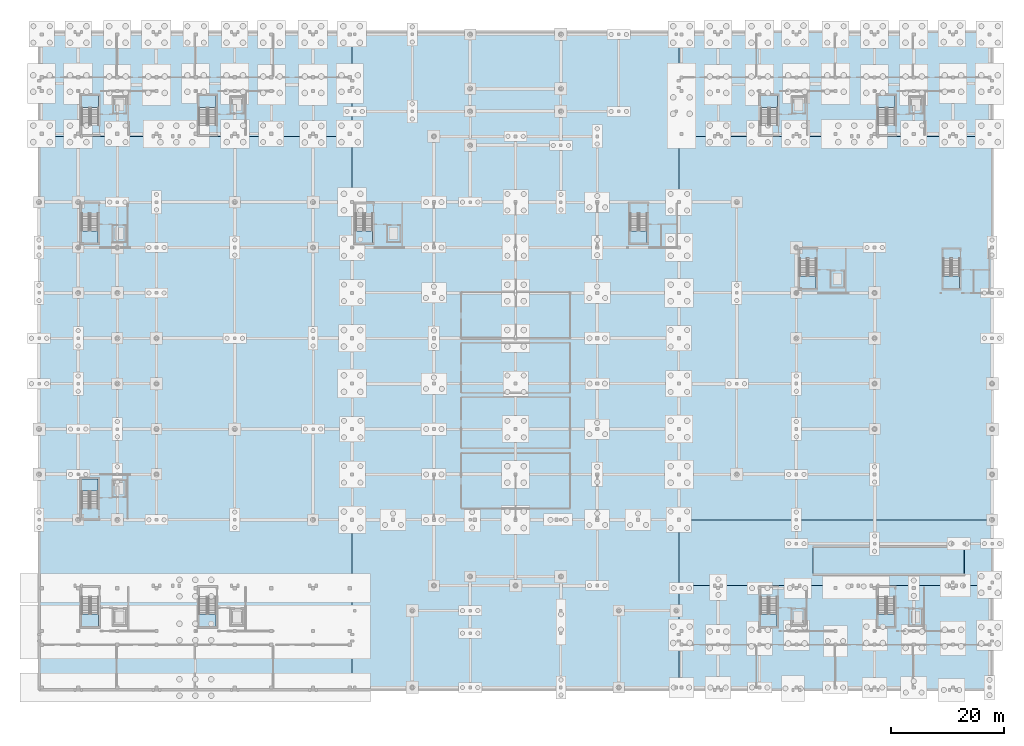
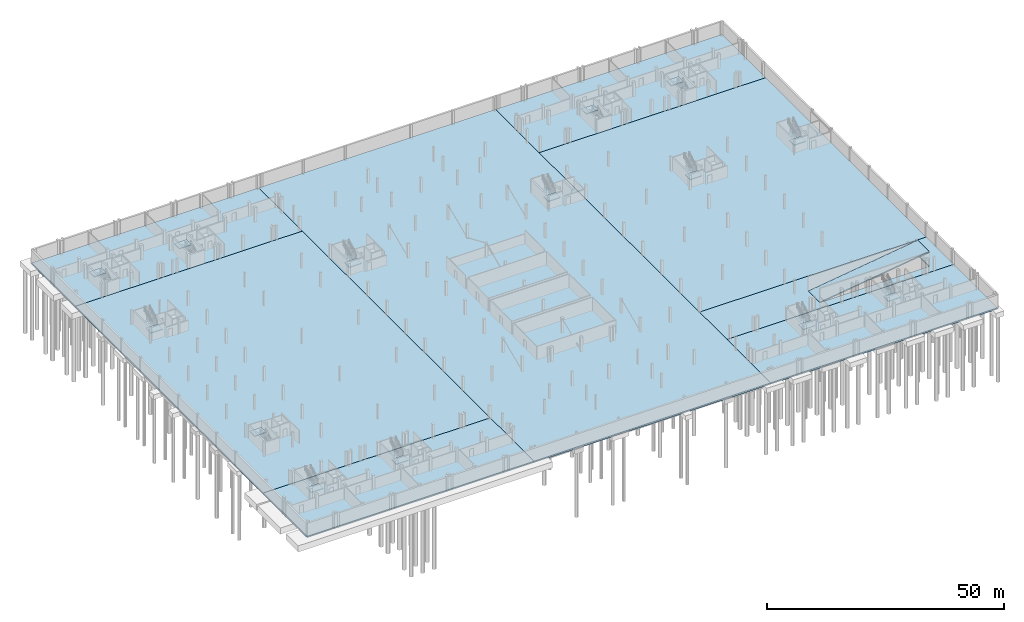
# One storey, part 15 of 38: 23 slabs, 14 elements without a shape of their own.
"""IFC4 building model written with IfcOpenShell, lengths in metres."""

from ifc_helpers import new_model, si_unit, direction, frame, origin, place, context, subcontext, project, spatial, polyline, outline, extrude, material, layer, layer_set, type_object, element, aggregate, save


model = new_model("IFC4")

# Units and contexts
model_context = context("Model", 3, precision=1e-05, world=origin(), true_north=direction((0.0, 1.0)))
body_context = subcontext(model_context, "Body", "Model", "MODEL_VIEW")
ifc_project = project(units=[si_unit("LENGTHUNIT", "METRE"), si_unit("AREAUNIT", "SQUARE_METRE"), si_unit("VOLUMEUNIT", "CUBIC_METRE"), si_unit("PLANEANGLEUNIT", "RADIAN"), si_unit("MASSUNIT", "GRAM", prefix="KILO")], contexts=[model_context])

# Site, building, storey
site_placement = place(None, origin())
site = spatial("IfcSite", under=ifc_project, at=site_placement, CompositionType="ELEMENT")
building_placement = place(site_placement, origin())
building = spatial("IfcBuilding", under=site, at=building_placement, Name="Zavelmont Quarter", CompositionType="ELEMENT")
storey_placement = place(building_placement, frame((0.0, 0.0, -3.800048828125)))
storey = spatial("IfcBuildingStorey", under=building, at=storey_placement, Name="B01", CompositionType="ELEMENT", Elevation=-3.800048828125)

# Slabs
ifc_material = material(Name="Concrete C35/45", Category="concrete")
ifc_layer_1 = layer(ifc_material, 0.39990234375)
ifc_layer_set_1 = layer_set([ifc_layer_1], Name="Concrete C35/45")
slab_type_1 = type_object("IfcSlabType", Name="SL-BS400", PredefinedType="BASESLAB", material=ifc_layer_set_1)
slab_1_placement = place(storey_placement, frame((0.0, 0.0, -0.39990234375)))
element("IfcSlab", 1, at=slab_1_placement, inside=storey, type_object=slab_type_1, Name="B01 B01 South-West Block A basement SL-BS400", PredefinedType="BASESLAB", context=body_context, shape_type="SweptSolid", body=[
    extrude(outline(polyline([(0.0, 0.0), (55.199951171875, 0.0), (55.199951171875, 18.39990234375), (0.0, 18.39990234375), (0.0, 0.0)])), origin(), (0.0, 0.0, 1.0), 0.39990234375),
])
slab_2_placement = place(storey_placement, frame((0.0, 0.0, -0.39990234375)))
element("IfcSlab", 2, at=slab_2_placement, inside=storey, type_object=slab_type_1, Name="B01 B01 West retail and courtyard basement SL-BS400", PredefinedType="BASESLAB", context=body_context, shape_type="SweptSolid", body=[
    extrude(outline(polyline([(0.0, 18.39990234375), (55.199951171875, 18.39990234375), (55.199951171875, 97.60009765625), (0.0, 97.60009765625), (0.0, 18.39990234375)])), origin(), (0.0, 0.0, 1.0), 0.39990234375),
])
slab_3_placement = place(storey_placement, frame((0.0, 0.0, -0.39990234375)))
element("IfcSlab", 3, at=slab_3_placement, inside=storey, type_object=slab_type_1, Name="B01 B01 North-West Block B basement SL-BS400", PredefinedType="BASESLAB", context=body_context, shape_type="SweptSolid", body=[
    extrude(outline(polyline([(0.0, 97.60009765625), (55.199951171875, 97.60009765625), (55.199951171875, 116.0), (0.0, 116.0), (0.0, 97.60009765625)])), origin(), (0.0, 0.0, 1.0), 0.39990234375),
])
slab_4_placement = place(storey_placement, frame((0.0, 0.0, -0.39990234375)))
element("IfcSlab", 4, at=slab_4_placement, inside=storey, type_object=slab_type_1, Name="B01 B01 Central car-park and hall basement SL-BS400", PredefinedType="BASESLAB", context=body_context, shape_type="SweptSolid", body=[
    extrude(outline(polyline([(55.199951171875, 0.0), (112.800048828125, 0.0), (112.800048828125, 116.0), (55.199951171875, 116.0), (55.199951171875, 0.0)])), origin(), (0.0, 0.0, 1.0), 0.39990234375),
])
slab_5_placement = place(storey_placement, frame((0.0, 0.0, -0.39990234375)))
element("IfcSlab", 5, at=slab_5_placement, inside=storey, type_object=slab_type_1, Name="B01 B01 South-East Block D basement SL-BS400", PredefinedType="BASESLAB", context=body_context, shape_type="SweptSolid", body=[
    extrude(outline(polyline([(112.800048828125, 0.0), (168.0, 0.0), (168.0, 18.39990234375), (112.800048828125, 18.39990234375), (112.800048828125, 0.0)])), origin(), (0.0, 0.0, 1.0), 0.39990234375),
])
slab_6_placement = place(storey_placement, frame((0.0, 0.0, -0.39990234375)))
element("IfcSlab", 6, at=slab_6_placement, inside=storey, type_object=slab_type_1, Name="B01 B01 East ramp link basement SL-BS400", PredefinedType="BASESLAB", context=body_context, shape_type="SweptSolid", body=[
    extrude(outline(polyline([(112.800048828125, 18.39990234375), (168.0, 18.39990234375), (168.0, 30.0), (112.800048828125, 30.0), (112.800048828125, 18.39990234375)]), holes=[polyline([(136.47998046875, 20.3798828125), (163.159912109375, 20.3798828125), (163.159912109375, 25.219970703125), (136.47998046875, 25.219970703125), (136.47998046875, 20.3798828125)])]), origin(), (0.0, 0.0, 1.0), 0.39990234375),
])
slab_7_placement = place(storey_placement, frame((0.0, 0.0, -0.39990234375)))
element("IfcSlab", 7, at=slab_7_placement, inside=storey, type_object=slab_type_1, Name="B01 B01 East courtyard and Nursery basement SL-BS400", PredefinedType="BASESLAB", context=body_context, shape_type="SweptSolid", body=[
    extrude(outline(polyline([(112.800048828125, 30.0), (168.0, 30.0), (168.0, 97.60009765625), (112.800048828125, 97.60009765625), (112.800048828125, 30.0)])), origin(), (0.0, 0.0, 1.0), 0.39990234375),
])
slab_8_placement = place(storey_placement, frame((0.0, 0.0, -0.39990234375)))
element("IfcSlab", 8, at=slab_8_placement, inside=storey, type_object=slab_type_1, Name="B01 B01 North-East Block C basement SL-BS400", PredefinedType="BASESLAB", context=body_context, shape_type="SweptSolid", body=[
    extrude(outline(polyline([(112.800048828125, 97.60009765625), (168.0, 97.60009765625), (168.0, 116.0), (112.800048828125, 116.0), (112.800048828125, 97.60009765625)])), origin(), (0.0, 0.0, 1.0), 0.39990234375),
])

# Stair, slab
stair_type_1 = type_object("IfcStairType", Name="STR-1400-1727", PredefinedType="HALF_TURN_STAIR", material=ifc_material)
stair_1_placement = place(storey_placement, origin())
stair_1 = element("IfcStair", 9, at=stair_1_placement, inside=storey, type_object=stair_type_1, Name="B01 protected stair ST01", PredefinedType="HALF_TURN_STAIR")
ifc_layer_2 = layer(ifc_material, 0.199951171875)
ifc_layer_set_2 = layer_set([ifc_layer_2], Name="Concrete C35/45")
slab_type_2 = type_object("IfcSlabType", Name="SL-LND200", PredefinedType="LANDING", material=ifc_layer_set_2)
slab_9_placement = place(storey_placement, frame((0.0, 0.0, 1.699951171875)))
slab_9 = element("IfcSlab", 10, at=slab_9_placement, type_object=slab_type_2, Name="ST01 landing 1", PredefinedType="LANDING", context=body_context, shape_type="SweptSolid", body=[
    extrude(outline(polyline([(7.5, 13.35009765625), (7.5, 11.199951171875), (10.5, 11.199951171875), (10.5, 13.35009765625), (7.5, 13.35009765625)])), origin(), (0.0, 0.0, 1.0), 0.2001953125),
])
aggregate(stair_1, [slab_9])

stair_2_placement = place(storey_placement, origin())
stair_2 = element("IfcStair", 11, at=stair_2_placement, inside=storey, type_object=stair_type_1, Name="B01 protected stair ST02", PredefinedType="HALF_TURN_STAIR")
slab_10_placement = place(storey_placement, frame((0.0, 0.0, 1.699951171875)))
slab_10 = element("IfcSlab", 12, at=slab_10_placement, type_object=slab_type_2, Name="ST02 landing 1", PredefinedType="LANDING", context=body_context, shape_type="SweptSolid", body=[
    extrude(outline(polyline([(28.199951171875, 13.35009765625), (28.199951171875, 11.199951171875), (31.199951171875, 11.199951171875), (31.199951171875, 13.35009765625), (28.199951171875, 13.35009765625)])), origin(), (0.0, 0.0, 1.0), 0.2001953125),
])
aggregate(stair_2, [slab_10])

stair_3_placement = place(storey_placement, origin())
stair_3 = element("IfcStair", 13, at=stair_3_placement, inside=storey, type_object=stair_type_1, Name="B01 protected stair ST03", PredefinedType="HALF_TURN_STAIR")
slab_11_placement = place(storey_placement, frame((0.0, 0.0, 1.699951171875)))
slab_11 = element("IfcSlab", 14, at=slab_11_placement, type_object=slab_type_2, Name="ST03 landing 1", PredefinedType="LANDING", context=body_context, shape_type="SweptSolid", body=[
    extrude(outline(polyline([(10.5, 102.64990234375), (10.5, 104.800048828125), (7.5, 104.800048828125), (7.5, 102.64990234375), (10.5, 102.64990234375)])), origin(), (0.0, 0.0, 1.0), 0.2001953125),
])
aggregate(stair_3, [slab_11])

stair_4_placement = place(storey_placement, origin())
stair_4 = element("IfcStair", 15, at=stair_4_placement, inside=storey, type_object=stair_type_1, Name="B01 protected stair ST04", PredefinedType="HALF_TURN_STAIR")
slab_12_placement = place(storey_placement, frame((0.0, 0.0, 1.699951171875)))
slab_12 = element("IfcSlab", 16, at=slab_12_placement, type_object=slab_type_2, Name="ST04 landing 1", PredefinedType="LANDING", context=body_context, shape_type="SweptSolid", body=[
    extrude(outline(polyline([(31.199951171875, 102.64990234375), (31.199951171875, 104.800048828125), (28.199951171875, 104.800048828125), (28.199951171875, 102.64990234375), (31.199951171875, 102.64990234375)])), origin(), (0.0, 0.0, 1.0), 0.2001953125),
])
aggregate(stair_4, [slab_12])

stair_5_placement = place(storey_placement, origin())
stair_5 = element("IfcStair", 17, at=stair_5_placement, inside=storey, type_object=stair_type_1, Name="B01 protected stair ST05", PredefinedType="HALF_TURN_STAIR")
slab_13_placement = place(storey_placement, frame((0.0, 0.0, 1.699951171875)))
slab_13 = element("IfcSlab", 18, at=slab_13_placement, type_object=slab_type_2, Name="ST05 landing 1", PredefinedType="LANDING", context=body_context, shape_type="SweptSolid", body=[
    extrude(outline(polyline([(130.199951171875, 102.64990234375), (130.199951171875, 104.800048828125), (127.199951171875, 104.800048828125), (127.199951171875, 102.64990234375), (130.199951171875, 102.64990234375)])), origin(), (0.0, 0.0, 1.0), 0.2001953125),
])
aggregate(stair_5, [slab_13])

stair_6_placement = place(storey_placement, origin())
stair_6 = element("IfcStair", 19, at=stair_6_placement, inside=storey, type_object=stair_type_1, Name="B01 protected stair ST06", PredefinedType="HALF_TURN_STAIR")
slab_14_placement = place(storey_placement, frame((0.0, 0.0, 1.699951171875)))
slab_14 = element("IfcSlab", 20, at=slab_14_placement, type_object=slab_type_2, Name="ST06 landing 1", PredefinedType="LANDING", context=body_context, shape_type="SweptSolid", body=[
    extrude(outline(polyline([(150.89990234375, 102.64990234375), (150.89990234375, 104.800048828125), (147.89990234375, 104.800048828125), (147.89990234375, 102.64990234375), (150.89990234375, 102.64990234375)])), origin(), (0.0, 0.0, 1.0), 0.2001953125),
])
aggregate(stair_6, [slab_14])

stair_type_2 = type_object("IfcStairType", Name="STR-1350-1727", PredefinedType="HALF_TURN_STAIR", material=ifc_material)
stair_7_placement = place(storey_placement, origin())
stair_7 = element("IfcStair", 21, at=stair_7_placement, inside=storey, type_object=stair_type_2, Name="B01 protected stair ST07", PredefinedType="HALF_TURN_STAIR")
slab_15_placement = place(storey_placement, frame((0.0, 0.0, 1.699951171875)))
slab_15 = element("IfcSlab", 22, at=slab_15_placement, type_object=slab_type_2, Name="ST07 landing 1", PredefinedType="LANDING", context=body_context, shape_type="SweptSolid", body=[
    extrude(outline(polyline([(127.199951171875, 13.35009765625), (127.199951171875, 11.199951171875), (130.10009765625, 11.199951171875), (130.10009765625, 13.35009765625), (127.199951171875, 13.35009765625)])), origin(), (0.0, 0.0, 1.0), 0.2001953125),
])
aggregate(stair_7, [slab_15])

stair_8_placement = place(storey_placement, origin())
stair_8 = element("IfcStair", 23, at=stair_8_placement, inside=storey, type_object=stair_type_2, Name="B01 protected stair ST08", PredefinedType="HALF_TURN_STAIR")
slab_16_placement = place(storey_placement, frame((0.0, 0.0, 1.699951171875)))
slab_16 = element("IfcSlab", 24, at=slab_16_placement, type_object=slab_type_2, Name="ST08 landing 1", PredefinedType="LANDING", context=body_context, shape_type="SweptSolid", body=[
    extrude(outline(polyline([(147.89990234375, 13.35009765625), (147.89990234375, 11.199951171875), (150.800048828125, 11.199951171875), (150.800048828125, 13.35009765625), (147.89990234375, 13.35009765625)])), origin(), (0.0, 0.0, 1.0), 0.2001953125),
])
aggregate(stair_8, [slab_16])

stair_9_placement = place(storey_placement, origin())
stair_9 = element("IfcStair", 25, at=stair_9_placement, inside=storey, type_object=stair_type_1, Name="B01 protected stair ST09", PredefinedType="HALF_TURN_STAIR")
slab_17_placement = place(storey_placement, frame((0.0, 0.0, 1.699951171875)))
slab_17 = element("IfcSlab", 26, at=slab_17_placement, type_object=slab_type_2, Name="ST09 landing 1", PredefinedType="LANDING", context=body_context, shape_type="SweptSolid", body=[
    extrude(outline(polyline([(55.800048828125, 80.949951171875), (55.800048828125, 78.800048828125), (58.800048828125, 78.800048828125), (58.800048828125, 80.949951171875), (55.800048828125, 80.949951171875)])), origin(), (0.0, 0.0, 1.0), 0.2001953125),
])
aggregate(stair_9, [slab_17])

stair_10_placement = place(storey_placement, origin())
stair_10 = element("IfcStair", 27, at=stair_10_placement, inside=storey, type_object=stair_type_1, Name="B01 protected stair ST10", PredefinedType="HALF_TURN_STAIR")
slab_18_placement = place(storey_placement, frame((0.0, 0.0, 1.699951171875)))
slab_18 = element("IfcSlab", 28, at=slab_18_placement, type_object=slab_type_2, Name="ST10 landing 1", PredefinedType="LANDING", context=body_context, shape_type="SweptSolid", body=[
    extrude(outline(polyline([(104.199951171875, 80.949951171875), (104.199951171875, 78.800048828125), (107.199951171875, 78.800048828125), (107.199951171875, 80.949951171875), (104.199951171875, 80.949951171875)])), origin(), (0.0, 0.0, 1.0), 0.2001953125),
])
aggregate(stair_10, [slab_18])

stair_11_placement = place(storey_placement, origin())
stair_11 = element("IfcStair", 29, at=stair_11_placement, inside=storey, type_object=stair_type_2, Name="B01 protected stair ST11", PredefinedType="HALF_TURN_STAIR")
slab_19_placement = place(storey_placement, frame((0.0, 0.0, 1.699951171875)))
slab_19 = element("IfcSlab", 30, at=slab_19_placement, type_object=slab_type_2, Name="ST11 landing 1", PredefinedType="LANDING", context=body_context, shape_type="SweptSolid", body=[
    extrude(outline(polyline([(134.10009765625, 72.949951171875), (134.10009765625, 70.800048828125), (137.0, 70.800048828125), (137.0, 72.949951171875), (134.10009765625, 72.949951171875)])), origin(), (0.0, 0.0, 1.0), 0.2001953125),
])
aggregate(stair_11, [slab_19])

stair_12_placement = place(storey_placement, origin())
stair_12 = element("IfcStair", 31, at=stair_12_placement, inside=storey, type_object=stair_type_2, Name="B01 protected stair ST12", PredefinedType="HALF_TURN_STAIR")
slab_20_placement = place(storey_placement, frame((0.0, 0.0, 1.699951171875)))
slab_20 = element("IfcSlab", 32, at=slab_20_placement, type_object=slab_type_2, Name="ST12 landing 1", PredefinedType="LANDING", context=body_context, shape_type="SweptSolid", body=[
    extrude(outline(polyline([(159.39990234375, 72.949951171875), (159.39990234375, 70.800048828125), (162.300048828125, 70.800048828125), (162.300048828125, 72.949951171875), (159.39990234375, 72.949951171875)])), origin(), (0.0, 0.0, 1.0), 0.2001953125),
])
aggregate(stair_12, [slab_20])

stair_13_placement = place(storey_placement, origin())
stair_13 = element("IfcStair", 33, at=stair_13_placement, inside=storey, type_object=stair_type_2, Name="B01 protected stair ST13", PredefinedType="HALF_TURN_STAIR")
slab_21_placement = place(storey_placement, frame((0.0, 0.0, 1.699951171875)))
slab_21 = element("IfcSlab", 34, at=slab_21_placement, type_object=slab_type_2, Name="ST13 landing 1", PredefinedType="LANDING", context=body_context, shape_type="SweptSolid", body=[
    extrude(outline(polyline([(10.39990234375, 35.050048828125), (10.39990234375, 37.199951171875), (7.5, 37.199951171875), (7.5, 35.050048828125), (10.39990234375, 35.050048828125)])), origin(), (0.0, 0.0, 1.0), 0.2001953125),
])
aggregate(stair_13, [slab_21])

stair_14_placement = place(storey_placement, origin())
stair_14 = element("IfcStair", 35, at=stair_14_placement, inside=storey, type_object=stair_type_2, Name="B01 protected stair ST14", PredefinedType="HALF_TURN_STAIR")
slab_22_placement = place(storey_placement, frame((0.0, 0.0, 1.699951171875)))
slab_22 = element("IfcSlab", 36, at=slab_22_placement, type_object=slab_type_2, Name="ST14 landing 1", PredefinedType="LANDING", context=body_context, shape_type="SweptSolid", body=[
    extrude(outline(polyline([(7.5, 80.949951171875), (7.5, 78.800048828125), (10.39990234375, 78.800048828125), (10.39990234375, 80.949951171875), (7.5, 80.949951171875)])), origin(), (0.0, 0.0, 1.0), 0.2001953125),
])
aggregate(stair_14, [slab_22])

# Slab
ifc_layer_3 = layer(ifc_material, 0.300048828125)
ifc_layer_set_3 = layer_set([ifc_layer_3], Name="Concrete C35/45")
slab_type_3 = type_object("IfcSlabType", Name="VR01", PredefinedType="FLOOR", material=ifc_layer_set_3)
slab_23_placement = place(storey_placement, frame((136.5, 20.39990234375, 0.050048828125), z_axis=(-0.139596545559, 0.0, 0.990208465157), x_axis=(0.990208465157, 0.0, 0.139596545559)))
element("IfcSlab", 37, at=slab_23_placement, inside=storey, type_object=slab_type_3, Name="Basement vehicle ramp slab VR01", PredefinedType="FLOOR", context=body_context, shape_type="SweptSolid", body=[
    extrude(outline(polyline([(0.0, 0.0), (26.86312891905998, 0.0), (26.86312891905998, 4.800048828125), (0.0, 4.800048828125), (0.0, 0.0)])), origin(), (0.0, 0.0, -1.0), 0.300048828125),
])

save(model, "model.ifc")
